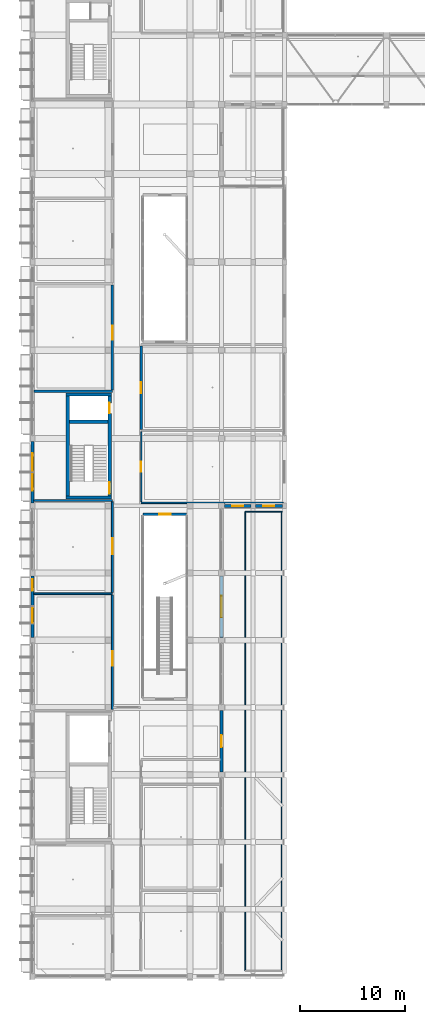
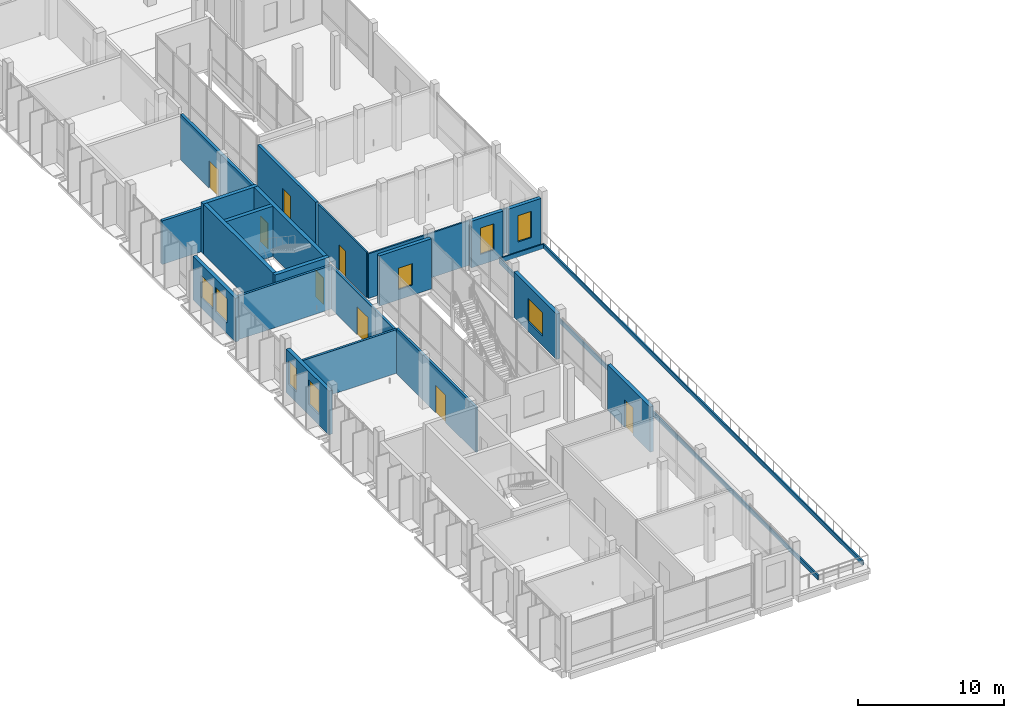
# One storey, part 57 of 95: 24 walls, 8 doors, 8 windows, 16 openings.
"""IFC4 building model written with IfcOpenShell, lengths in metres."""

from ifc_helpers import new_model, si_unit, derived_unit, direction, frame, frame_2d, origin, origin_with_axes, place, context, subcontext, project, spatial, rectangle, extrude, material, layer, layer_set, type_object, element, fill, save


model = new_model("IFC4")

# Units and contexts
model_context = context("Model", 3, precision=1e-05, world=origin(), true_north=direction((0.0, 1.0)))
body_context = subcontext(model_context, "Body", "Model", "MODEL_VIEW")
ifc_project = project(units=[si_unit("LENGTHUNIT", "METRE"), si_unit("AREAUNIT", "SQUARE_METRE"), si_unit("VOLUMEUNIT", "CUBIC_METRE"), si_unit("PLANEANGLEUNIT", "RADIAN"), si_unit("MASSUNIT", "GRAM", prefix="KILO"), derived_unit("THERMALTRANSMITTANCEUNIT", [(si_unit("POWERUNIT", "WATT"), 1), (si_unit("LENGTHUNIT", "METRE"), -2), (si_unit("THERMODYNAMICTEMPERATUREUNIT", "KELVIN"), -1)])], contexts=[model_context])

# Site, building, storey
site_placement = place(None, origin())
site = spatial("IfcSite", under=ifc_project, at=site_placement, CompositionType="ELEMENT")
building_placement = place(site_placement, origin())
building = spatial("IfcBuilding", under=site, at=building_placement, Name="Braskholm Square Health Centre", CompositionType="ELEMENT")
storey_placement = place(building_placement, frame((0.0, 0.0, 4.800048828125)))
storey = spatial("IfcBuildingStorey", under=building, at=storey_placement, Name="L02", CompositionType="ELEMENT", Elevation=4.800048828125)

# Wall, opening, door
ifc_material_1 = material(Name="Fire-rated gypsum board barrier")
ifc_layer_1 = layer(ifc_material_1, 0.175048828125)
ifc_layer_set_1 = layer_set([ifc_layer_1], Name="Fire-rated gypsum board barrier")
wall_type_1 = type_object("IfcWallType", Name="AmbulatoryFirePartition175", PredefinedType="PARTITIONING", material=ifc_layer_set_1)
wall_1_placement = place(storey_placement, frame((11.800048828125, 29.6201171875, 0.0), z_axis=(0.0, 0.0, 1.0), x_axis=(0.0, 1.0, 0.0)))
wall_1 = element("IfcWall", 1, at=wall_1_placement, inside=storey, type_object=wall_type_1, Name="Interior partition PWALL-L02-0077", PredefinedType="PARTITIONING", context=body_context, shape_type="SweptSolid", body=[
    extrude(rectangle(XDim=10.889892578125, YDim=0.175048828125, at=frame_2d((5.44482421875, 0.0))), origin(), (0.0, 0.0, 1.0), 3.794921875),
])
opening_1_placement = place(wall_1_placement, frame((4.1640625, 0.0, 0.0)))
opening_1 = element("IfcOpeningElement", 2, at=opening_1_placement, cuts=wall_1, Name="Opening D-16", PredefinedType="OPENING", context=body_context, shape_type="SweptSolid", body=[
    extrude(rectangle(XDim=1.360107421875, YDim=2.300048828125, at=frame_2d((0.68017578125, 1.14990234375))), frame((0.0, 0.09765625, 0.0), z_axis=(0.0, -1.0, 0.0), x_axis=(1.0, 0.0, 0.0)), (0.0, 0.0, 1.0), 0.195068359375),
])
ifc_material_2 = material(Name="Architectural bronze anodised aluminium", Category="aluminium")
door_type_1 = type_object("IfcDoorType", Name="DoorSurgicalScrubSliding1360x2300", OperationType="SLIDING_TO_RIGHT", PredefinedType="DOOR", material=ifc_material_2)
door_1_placement = place(opening_1_placement, origin_with_axes())
door_1 = element("IfcDoor", 3, at=door_1_placement, inside=storey, type_object=door_type_1, Name="Interior door 0035 L02", OperationType="SLIDING_TO_RIGHT", OverallHeight=2.300048828125, OverallWidth=1.360107421875, PredefinedType="DOOR", context=body_context, shape_type="SweptSolid", body=[
    extrude(rectangle(XDim=1.360107421875, YDim=2.300048828125, at=frame_2d((0.68017578125, 1.14990234375))), frame((0.0, 0.02490234375, 0.0), z_axis=(0.0, -1.0, 0.0), x_axis=(1.0, 0.0, 0.0)), (0.0, 0.0, 1.0), 0.050048828125),
])
fill(opening_1, door_1)

# Wall
wall_2_placement = place(storey_placement, frame((4.340087890625, 40.6298828125, 0.0), z_axis=(0.0, 0.0, 1.0), x_axis=(1.0, 0.0, 0.0)))
element("IfcWall", 4, at=wall_2_placement, inside=storey, type_object=wall_type_1, Name="Interior partition PWALL-L02-0078", PredefinedType="PARTITIONING", context=body_context, shape_type="SweptSolid", body=[
    extrude(rectangle(XDim=7.4599609375, YDim=0.175048828125, at=frame_2d((3.72998046875, 0.0))), origin(), (0.0, 0.0, 1.0), 3.64501953125),
])

# Wall, opening, door
wall_3_placement = place(storey_placement, frame((11.800048828125, 40.75, 0.0), z_axis=(0.0, 0.0, 1.0), x_axis=(0.0, 1.0, 0.0)))
wall_3 = element("IfcWall", 5, at=wall_3_placement, inside=storey, type_object=wall_type_1, Name="Interior partition PWALL-L02-0080", PredefinedType="PARTITIONING", context=body_context, shape_type="SweptSolid", body=[
    extrude(rectangle(XDim=8.6298828125, YDim=0.175048828125, at=frame_2d((4.31494140625, 0.0))), origin(), (0.0, 0.0, 1.0), 3.544921875),
])
opening_2_placement = place(wall_3_placement, frame((3.62109375, 0.0, 0.0)))
opening_2 = element("IfcOpeningElement", 6, at=opening_2_placement, cuts=wall_3, Name="Opening D-15", PredefinedType="OPENING", context=body_context, shape_type="SweptSolid", body=[
    extrude(rectangle(XDim=1.5400390625, YDim=2.35009765625, at=frame_2d((0.77001953125, 1.175048828125))), frame((0.0, 0.09765625, 0.0), z_axis=(0.0, -1.0, 0.0), x_axis=(1.0, 0.0, 0.0)), (0.0, 0.0, 1.0), 0.195068359375),
])
door_type_2 = type_object("IfcDoorType", Name="DoorOperatingRoomPair1540x2350", OperationType="DOUBLE_DOOR_SINGLE_SWING", PredefinedType="DOOR", material=ifc_material_2)
door_2_placement = place(opening_2_placement, origin_with_axes())
door_2 = element("IfcDoor", 7, at=door_2_placement, inside=storey, type_object=door_type_2, Name="Interior door 0036 L02", OperationType="DOUBLE_DOOR_SINGLE_SWING", OverallHeight=2.35009765625, OverallWidth=1.5400390625, PredefinedType="DOOR", context=body_context, shape_type="SweptSolid", body=[
    extrude(rectangle(XDim=1.5400390625, YDim=2.35009765625, at=frame_2d((0.77001953125, 1.175048828125))), frame((0.0, 0.02490234375, 0.0), z_axis=(0.0, -1.0, 0.0), x_axis=(1.0, 0.0, 0.0)), (0.0, 0.0, 1.0), 0.050048828125),
])
fill(opening_2, door_2)

# Wall
wall_4_placement = place(storey_placement, frame((4.340087890625, 49.5, 0.0), z_axis=(0.0, 0.0, 1.0), x_axis=(1.0, 0.0, 0.0)))
element("IfcWall", 8, at=wall_4_placement, inside=storey, type_object=wall_type_1, Name="Interior partition PWALL-L02-0081", PredefinedType="PARTITIONING", context=body_context, shape_type="SweptSolid", body=[
    extrude(rectangle(XDim=7.4599609375, YDim=0.175048828125, at=frame_2d((3.72998046875, 0.0))), origin(), (0.0, 0.0, 1.0), 3.64501953125),
])

# Wall, opening, door
ifc_material_3 = material(Name="Acoustic gypsum board partition")
ifc_layer_2 = layer(ifc_material_3, 0.125)
ifc_layer_set_2 = layer_set([ifc_layer_2], Name="Acoustic gypsum board partition")
wall_type_2 = type_object("IfcWallType", Name="ClinicalExamPartition125", PredefinedType="PARTITIONING", material=ifc_layer_set_2)
wall_5_placement = place(storey_placement, frame((14.550048828125, 49.39990234375, 0.0), z_axis=(0.0, 0.0, 1.0), x_axis=(0.0, 1.0, 0.0)))
wall_5 = element("IfcWall", 9, at=wall_5_placement, inside=storey, type_object=wall_type_2, Name="Interior partition PWALL-L02-0100", PredefinedType="PARTITIONING", context=body_context, shape_type="SweptSolid", body=[
    extrude(rectangle(XDim=6.64013671875, YDim=0.125, at=frame_2d((3.320068359375, 0.0))), origin(), (0.0, 0.0, 1.0), 3.794921875),
])
opening_3_placement = place(wall_5_placement, frame((2.860107421875, 0.0, 0.0)))
opening_3 = element("IfcOpeningElement", 10, at=opening_3_placement, cuts=wall_5, Name="Opening D-01", PredefinedType="OPENING", context=body_context, shape_type="SweptSolid", body=[
    extrude(rectangle(XDim=0.919921875, YDim=2.14990234375, at=frame_2d((0.4599609375, 1.074951171875))), frame((0.0, 0.072509765625, 0.0), z_axis=(0.0, -1.0, 0.0), x_axis=(1.0, 0.0, 0.0)), (0.0, 0.0, 1.0), 0.14501953125),
])
door_type_3 = type_object("IfcDoorType", Name="DoorConsultSingle920x2150", OperationType="NOTDEFINED", PredefinedType="DOOR", material=ifc_material_2)
door_3_placement = place(opening_3_placement, frame((0.919921875, 0.0, 0.0), z_axis=(0.0, 0.0, 1.0), x_axis=(-1.0, 0.0, 0.0)))
door_3 = element("IfcDoor", 11, at=door_3_placement, inside=storey, type_object=door_type_3, Name="Interior door 0046 L02", OperationType="SINGLE_SWING_LEFT", OverallHeight=2.14990234375, OverallWidth=0.919921875, PredefinedType="DOOR", context=body_context, shape_type="SweptSolid", body=[
    extrude(rectangle(XDim=0.919921875, YDim=2.14990234375, at=frame_2d((0.4599609375, 1.074951171875))), frame((0.0, 0.02490234375, 0.0), z_axis=(0.0, -1.0, 0.0), x_axis=(1.0, 0.0, 0.0)), (0.0, 0.0, 1.0), 0.050048828125),
])
fill(opening_3, door_3)

# Wall
wall_6_placement = place(storey_placement, frame((14.550048828125, 49.280029296875, 0.0), z_axis=(0.0, 0.0, 1.0), x_axis=(1.0, 0.0, 0.0)))
element("IfcWall", 12, at=wall_6_placement, inside=storey, type_object=wall_type_2, Name="Interior partition PWALL-L02-0101", PredefinedType="PARTITIONING", context=body_context, shape_type="SweptSolid", body=[
    extrude(rectangle(XDim=13.510009765625, YDim=0.125, at=frame_2d((6.7548828125, 0.0))), origin(), (0.0, 0.0, 1.0), 3.73486328125),
])

# Wall, openings, windows
ifc_material_4 = material(Name="Precast concrete C40/50 architectural white", Category="concrete")
ifc_layer_3 = layer(ifc_material_4, 0.280029296875)
ifc_layer_set_3 = layer_set([ifc_layer_3], Name="Precast concrete C40/50 architectural white")
wall_type_3 = type_object("IfcWallType", Name="ExteriorPrecastSpandrelWall280", PredefinedType="SOLIDWALL", material=ifc_layer_set_3)
wall_7_placement = place(storey_placement, frame((4.199951171875, 42.318115234375, 0.0), z_axis=(0.0, 0.0, 1.0), x_axis=(0.0, -1.0, 0.0)))
wall_7 = element("IfcWall", 13, at=wall_7_placement, inside=storey, type_object=wall_type_3, Name="Exterior wall EWALL-L02-0014", PredefinedType="SOLIDWALL", context=body_context, shape_type="SweptSolid", body=[
    extrude(rectangle(XDim=5.836181640625, YDim=0.280029296875, at=frame_2d((2.91796875, 0.0))), origin(), (0.0, 0.0, 1.0), 3.64990234375),
])
opening_4_placement = place(wall_7_placement, frame((0.2900390625, 0.0, 0.8798828125)))
opening_4 = element("IfcOpeningElement", 14, at=opening_4_placement, cuts=wall_7, Name="Opening WN-34", PredefinedType="OPENING", context=body_context, shape_type="SweptSolid", body=[
    extrude(rectangle(XDim=1.1201171875, YDim=1.949951171875, at=frame_2d((0.56005859375, 0.97509765625))), frame((0.0, 0.14990234375, 0.0), z_axis=(0.0, -1.0, 0.0), x_axis=(1.0, 0.0, 0.0)), (0.0, 0.0, 1.0), 0.300048828125),
])
opening_5_placement = place(wall_7_placement, frame((3.055908203125, 0.0, 0.8798828125)))
opening_5 = element("IfcOpeningElement", 15, at=opening_5_placement, cuts=wall_7, Name="Opening WN-14", PredefinedType="OPENING", context=body_context, shape_type="SweptSolid", body=[
    extrude(rectangle(XDim=1.39990234375, YDim=2.050048828125, at=frame_2d((0.699951171875, 1.02490234375))), frame((0.0, 0.14990234375, 0.0), z_axis=(0.0, -1.0, 0.0), x_axis=(1.0, 0.0, 0.0)), (0.0, 0.0, 1.0), 0.300048828125),
])
ifc_material_5 = material(Name="Low-E triple insulating glass (VLT 0.64)", Category="glass")
window_type_1 = type_object("IfcWindowType", Name="WinArtDecoMed1120x1950", PartitioningType="SINGLE_PANEL", PredefinedType="WINDOW", material=ifc_material_5)
window_1_placement = place(opening_4_placement, origin_with_axes())
window_1 = element("IfcWindow", 16, at=window_1_placement, inside=storey, type_object=window_type_1, Name="Exterior window 0024 L02", OverallHeight=1.949951171875, OverallWidth=1.1201171875, PartitioningType="SINGLE_PANEL", PredefinedType="WINDOW", context=body_context, shape_type="SweptSolid", body=[
    extrude(rectangle(XDim=1.1201171875, YDim=1.949951171875, at=frame_2d((0.56005859375, 0.97509765625))), frame((0.0, 0.030029296875, 0.0), z_axis=(0.0, -1.0, 0.0), x_axis=(1.0, 0.0, 0.0)), (0.0, 0.0, 1.0), 0.06005859375),
])
fill(opening_4, window_1)
window_type_2 = type_object("IfcWindowType", Name="WinClinicalTall1400x2050", PartitioningType="SINGLE_PANEL", PredefinedType="WINDOW", material=ifc_material_5)
window_2_placement = place(opening_5_placement, origin_with_axes())
window_2 = element("IfcWindow", 17, at=window_2_placement, inside=storey, type_object=window_type_2, Name="Exterior window 0025 L02", OverallHeight=2.050048828125, OverallWidth=1.39990234375, PartitioningType="SINGLE_PANEL", PredefinedType="WINDOW", context=body_context, shape_type="SweptSolid", body=[
    extrude(rectangle(XDim=1.39990234375, YDim=2.050048828125, at=frame_2d((0.699951171875, 1.02490234375))), frame((0.0, 0.030029296875, 0.0), z_axis=(0.0, -1.0, 0.0), x_axis=(1.0, 0.0, 0.0)), (0.0, 0.0, 1.0), 0.06005859375),
])
fill(opening_5, window_2)

wall_8_placement = place(storey_placement, frame((4.199951171875, 55.117919921875, 0.0), z_axis=(0.0, 0.0, 1.0), x_axis=(0.0, -1.0, 0.0)))
wall_8 = element("IfcWall", 18, at=wall_8_placement, inside=storey, type_object=wall_type_3, Name="Exterior wall EWALL-L02-0015", PredefinedType="SOLIDWALL", context=body_context, shape_type="SweptSolid", body=[
    extrude(rectangle(XDim=5.8359375, YDim=0.280029296875, at=frame_2d((2.91796875, 0.0))), origin(), (0.0, 0.0, 1.0), 3.64990234375),
])
opening_6_placement = place(wall_8_placement, frame((1.1201171875, 0.0, 0.8798828125)))
opening_6 = element("IfcOpeningElement", 19, at=opening_6_placement, cuts=wall_8, Name="Opening WN-10", PredefinedType="OPENING", context=body_context, shape_type="SweptSolid", body=[
    extrude(rectangle(XDim=1.64990234375, YDim=1.85009765625, at=frame_2d((0.824951171875, 0.925048828125))), frame((0.0, 0.14990234375, 0.0), z_axis=(0.0, -1.0, 0.0), x_axis=(1.0, 0.0, 0.0)), (0.0, 0.0, 1.0), 0.300048828125),
])
opening_7_placement = place(wall_8_placement, frame((3.091064453125, 0.0, 0.8798828125)))
opening_7 = element("IfcOpeningElement", 20, at=opening_7_placement, cuts=wall_8, Name="Opening WN-15", PredefinedType="OPENING", context=body_context, shape_type="SweptSolid", body=[
    extrude(rectangle(XDim=1.60009765625, YDim=2.050048828125, at=frame_2d((0.800048828125, 1.02490234375))), frame((0.0, 0.14990234375, 0.0), z_axis=(0.0, -1.0, 0.0), x_axis=(1.0, 0.0, 0.0)), (0.0, 0.0, 1.0), 0.300048828125),
])
window_type_3 = type_object("IfcWindowType", Name="WinClinicalBay1650x1850", PartitioningType="SINGLE_PANEL", PredefinedType="WINDOW", material=ifc_material_5)
window_3_placement = place(opening_6_placement, origin_with_axes())
window_3 = element("IfcWindow", 21, at=window_3_placement, inside=storey, type_object=window_type_3, Name="Exterior window 0026 L02", OverallHeight=1.85009765625, OverallWidth=1.64990234375, PartitioningType="SINGLE_PANEL", PredefinedType="WINDOW", context=body_context, shape_type="SweptSolid", body=[
    extrude(rectangle(XDim=1.64990234375, YDim=1.85009765625, at=frame_2d((0.824951171875, 0.925048828125))), frame((0.0, 0.030029296875, 0.0), z_axis=(0.0, -1.0, 0.0), x_axis=(1.0, 0.0, 0.0)), (0.0, 0.0, 1.0), 0.06005859375),
])
fill(opening_6, window_3)
window_type_4 = type_object("IfcWindowType", Name="WinClinicalTall1600x2050", PartitioningType="SINGLE_PANEL", PredefinedType="WINDOW", material=ifc_material_5)
window_4_placement = place(opening_7_placement, origin_with_axes())
window_4 = element("IfcWindow", 22, at=window_4_placement, inside=storey, type_object=window_type_4, Name="Exterior window 0027 L02", OverallHeight=2.050048828125, OverallWidth=1.60009765625, PartitioningType="SINGLE_PANEL", PredefinedType="WINDOW", context=body_context, shape_type="SweptSolid", body=[
    extrude(rectangle(XDim=1.60009765625, YDim=2.050048828125, at=frame_2d((0.800048828125, 1.02490234375))), frame((0.0, 0.030029296875, 0.0), z_axis=(0.0, -1.0, 0.0), x_axis=(1.0, 0.0, 0.0)), (0.0, 0.0, 1.0), 0.06005859375),
])
fill(opening_7, window_4)

# Wall, opening, door
wall_9_placement = place(storey_placement, frame((22.199951171875, 23.677001953125, 0.0), z_axis=(0.0, 0.0, 1.0), x_axis=(0.0, 1.0, 0.0)))
wall_9 = element("IfcWall", 23, at=wall_9_placement, inside=storey, type_object=wall_type_3, Name="Exterior wall EWALL-L02-0110", PredefinedType="SOLIDWALL", context=body_context, shape_type="SweptSolid", body=[
    extrude(rectangle(XDim=5.845947265625, YDim=0.280029296875, at=frame_2d((2.9228515625, 0.0))), origin(), (0.0, 0.0, 1.0), 3.7900390625),
])
opening_8_placement = place(wall_9_placement, frame((2.35302734375, 0.0, 0.0)))
opening_8 = element("IfcOpeningElement", 24, at=opening_8_placement, cuts=wall_9, Name="Opening D-T1", PredefinedType="OPENING", context=body_context, shape_type="SweptSolid", body=[
    extrude(rectangle(XDim=1.139892578125, YDim=2.300048828125, at=frame_2d((0.56982421875, 1.14990234375))), frame((0.0, 0.14990234375, 0.0), z_axis=(0.0, -1.0, 0.0), x_axis=(1.0, 0.0, 0.0)), (0.0, 0.0, 1.0), 0.300048828125),
])
door_type_4 = type_object("IfcDoorType", Name="DoorPlantedTerrace1140x2300", OperationType="NOTDEFINED", PredefinedType="DOOR", material=ifc_material_5)
door_4_placement = place(opening_8_placement, frame((1.139892578125, 0.0, 0.0), z_axis=(0.0, 0.0, 1.0), x_axis=(-1.0, 0.0, 0.0)))
door_4 = element("IfcDoor", 25, at=door_4_placement, inside=storey, type_object=door_type_4, Name="Exterior door 0011 L02", OperationType="SINGLE_SWING_LEFT", OverallHeight=2.300048828125, OverallWidth=1.139892578125, PredefinedType="DOOR", context=body_context, shape_type="SweptSolid", body=[
    extrude(rectangle(XDim=1.139892578125, YDim=2.300048828125, at=frame_2d((0.56982421875, 1.14990234375))), frame((0.0, 0.02490234375, 0.0), z_axis=(0.0, -1.0, 0.0), x_axis=(1.0, 0.0, 0.0)), (0.0, 0.0, 1.0), 0.050048828125),
])
fill(opening_8, door_4)

# Wall, opening, window
wall_10_placement = place(storey_placement, frame((22.199951171875, 36.47705078125, 0.0), z_axis=(0.0, 0.0, 1.0), x_axis=(0.0, 1.0, 0.0)))
wall_10 = element("IfcWall", 26, at=wall_10_placement, inside=storey, type_object=wall_type_3, Name="Exterior wall EWALL-L02-0111", PredefinedType="SOLIDWALL", context=body_context, shape_type="SweptSolid", body=[
    extrude(rectangle(XDim=5.845947265625, YDim=0.280029296875, at=frame_2d((2.9228515625, 0.0))), origin(), (0.0, 0.0, 1.0), 3.7900390625),
])
opening_9_placement = place(wall_10_placement, frame((1.89794921875, 0.0, 0.800048828125)))
opening_9 = element("IfcOpeningElement", 27, at=opening_9_placement, cuts=wall_10, Name="Opening WN-25", PredefinedType="OPENING", context=body_context, shape_type="SweptSolid", body=[
    extrude(rectangle(XDim=2.050048828125, YDim=1.949951171875, at=frame_2d((1.02490234375, 0.97509765625))), frame((0.0, 0.14990234375, 0.0), z_axis=(0.0, -1.0, 0.0), x_axis=(1.0, 0.0, 0.0)), (0.0, 0.0, 1.0), 0.300048828125),
])
window_type_5 = type_object("IfcWindowType", Name="WinValleyTerrace2050x1950", PartitioningType="SINGLE_PANEL", PredefinedType="WINDOW", material=ifc_material_5)
window_5_placement = place(opening_9_placement, origin_with_axes())
window_5 = element("IfcWindow", 28, at=window_5_placement, inside=storey, type_object=window_type_5, Name="Exterior window 0181 L02", OverallHeight=1.949951171875, OverallWidth=2.050048828125, PartitioningType="SINGLE_PANEL", PredefinedType="WINDOW", context=body_context, shape_type="SweptSolid", body=[
    extrude(rectangle(XDim=2.050048828125, YDim=1.949951171875, at=frame_2d((1.02490234375, 0.97509765625))), frame((0.0, 0.030029296875, 0.0), z_axis=(0.0, -1.0, 0.0), x_axis=(1.0, 0.0, 0.0)), (0.0, 0.0, 1.0), 0.06005859375),
])
fill(opening_9, window_5)

wall_11_placement = place(storey_placement, frame((22.47705078125, 49.0, 0.0), z_axis=(0.0, 0.0, 1.0), x_axis=(1.0, 0.0, 0.0)))
wall_11 = element("IfcWall", 29, at=wall_11_placement, inside=storey, type_object=wall_type_3, Name="Exterior wall EWALL-L02-0209", PredefinedType="SOLIDWALL", context=body_context, shape_type="SweptSolid", body=[
    extrude(rectangle(XDim=2.5009765625, YDim=0.280029296875, at=frame_2d((1.25048828125, 0.0))), origin(), (0.0, 0.0, 1.0), 3.889892578125),
])
opening_10_placement = place(wall_11_placement, frame((0.72607421875, 0.0, 0.8798828125)))
opening_10 = element("IfcOpeningElement", 30, at=opening_10_placement, cuts=wall_11, Name="Opening WN-02", PredefinedType="OPENING", context=body_context, shape_type="SweptSolid", body=[
    extrude(rectangle(XDim=1.050048828125, YDim=2.199951171875, at=frame_2d((0.52490234375, 1.10009765625))), frame((0.0, 0.14990234375, 0.0), z_axis=(0.0, -1.0, 0.0), x_axis=(1.0, 0.0, 0.0)), (0.0, 0.0, 1.0), 0.300048828125),
])
window_type_6 = type_object("IfcWindowType", Name="WinArtDecoLancet1050x2200", PartitioningType="SINGLE_PANEL", PredefinedType="WINDOW", material=ifc_material_5)
window_6_placement = place(opening_10_placement, origin_with_axes())
window_6 = element("IfcWindow", 31, at=window_6_placement, inside=storey, type_object=window_type_6, Name="Exterior window 0260 L02", OverallHeight=2.199951171875, OverallWidth=1.050048828125, PartitioningType="SINGLE_PANEL", PredefinedType="WINDOW", context=body_context, shape_type="SweptSolid", body=[
    extrude(rectangle(XDim=1.050048828125, YDim=2.199951171875, at=frame_2d((0.52490234375, 1.10009765625))), frame((0.0, 0.030029296875, 0.0), z_axis=(0.0, -1.0, 0.0), x_axis=(1.0, 0.0, 0.0)), (0.0, 0.0, 1.0), 0.06005859375),
])
fill(opening_10, window_6)

wall_12_placement = place(storey_placement, frame((25.422119140625, 49.0, 0.0), z_axis=(0.0, 0.0, 1.0), x_axis=(1.0, 0.0, 0.0)))
wall_12 = element("IfcWall", 32, at=wall_12_placement, inside=storey, type_object=wall_type_3, Name="Exterior wall EWALL-L02-0210", PredefinedType="SOLIDWALL", context=body_context, shape_type="SweptSolid", body=[
    extrude(rectangle(XDim=2.555908203125, YDim=0.280029296875, at=frame_2d((1.27783203125, 0.0))), origin(), (0.0, 0.0, 1.0), 3.889892578125),
])
opening_11_placement = place(wall_12_placement, frame((0.7529296875, 0.0, 0.8798828125)))
opening_11 = element("IfcOpeningElement", 33, at=opening_11_placement, cuts=wall_12, Name="Opening WN-02", PredefinedType="OPENING", context=body_context, shape_type="SweptSolid", body=[
    extrude(rectangle(XDim=1.050048828125, YDim=2.199951171875, at=frame_2d((0.52490234375, 1.10009765625))), frame((0.0, 0.14990234375, 0.0), z_axis=(0.0, -1.0, 0.0), x_axis=(1.0, 0.0, 0.0)), (0.0, 0.0, 1.0), 0.300048828125),
])
window_7_placement = place(opening_11_placement, origin_with_axes())
window_7 = element("IfcWindow", 34, at=window_7_placement, inside=storey, type_object=window_type_6, Name="Exterior window 0261 L02", OverallHeight=2.199951171875, OverallWidth=1.050048828125, PartitioningType="SINGLE_PANEL", PredefinedType="WINDOW", context=body_context, shape_type="SweptSolid", body=[
    extrude(rectangle(XDim=1.050048828125, YDim=2.199951171875, at=frame_2d((0.52490234375, 1.10009765625))), frame((0.0, 0.030029296875, 0.0), z_axis=(0.0, -1.0, 0.0), x_axis=(1.0, 0.0, 0.0)), (0.0, 0.0, 1.0), 0.06005859375),
])
fill(opening_11, window_7)

wall_13_placement = place(storey_placement, frame((14.73388671875, 48.199951171875, 0.0), z_axis=(0.0, 0.0, 1.0), x_axis=(1.0, 0.0, 0.0)))
wall_13 = element("IfcWall", 35, at=wall_13_placement, inside=storey, type_object=wall_type_3, Name="Exterior wall EWALL-L02-0286", PredefinedType="SOLIDWALL", context=body_context, shape_type="SweptSolid", body=[
    extrude(rectangle(XDim=4.132080078125, YDim=0.280029296875, at=frame_2d((2.06591796875, 0.0))), origin(), (0.0, 0.0, 1.0), 4.199951171875),
])
opening_12_placement = place(wall_13_placement, frame((1.51611328125, 0.0, 0.85009765625)))
opening_12 = element("IfcOpeningElement", 36, at=opening_12_placement, cuts=wall_13, Name="Opening WN-26", PredefinedType="OPENING", context=body_context, shape_type="SweptSolid", body=[
    extrude(rectangle(XDim=1.10009765625, YDim=1.800048828125, at=frame_2d((0.550048828125, 0.89990234375))), frame((0.0, 0.14990234375, 0.0), z_axis=(0.0, -1.0, 0.0), x_axis=(1.0, 0.0, 0.0)), (0.0, 0.0, 1.0), 0.300048828125),
])
window_type_7 = type_object("IfcWindowType", Name="WinLightCourt1100x1800", PartitioningType="SINGLE_PANEL", PredefinedType="WINDOW", material=ifc_material_5)
window_8_placement = place(opening_12_placement, origin_with_axes())
window_8 = element("IfcWindow", 37, at=window_8_placement, inside=storey, type_object=window_type_7, Name="Exterior window 0332 L02", OverallHeight=1.800048828125, OverallWidth=1.10009765625, PartitioningType="SINGLE_PANEL", PredefinedType="WINDOW", context=body_context, shape_type="SweptSolid", body=[
    extrude(rectangle(XDim=1.10009765625, YDim=1.800048828125, at=frame_2d((0.550048828125, 0.89990234375))), frame((0.0, 0.030029296875, 0.0), z_axis=(0.0, -1.0, 0.0), x_axis=(1.0, 0.0, 0.0)), (0.0, 0.0, 1.0), 0.06005859375),
])
fill(opening_12, window_8)

# Wall, opening, door
ifc_layer_4 = layer(ifc_material_1, 0.22509765625)
ifc_layer_set_4 = layer_set([ifc_layer_4], Name="Fire-rated gypsum board barrier")
wall_type_4 = type_object("IfcWallType", Name="ImagingShieldedWall225", PredefinedType="SOLIDWALL", material=ifc_layer_set_4)
wall_14_placement = place(storey_placement, frame((11.800048828125, 60.02001953125, 0.0), z_axis=(0.0, 0.0, 1.0), x_axis=(0.0, 1.0, 0.0)))
wall_14 = element("IfcWall", 38, at=wall_14_placement, inside=storey, type_object=wall_type_4, Name="Interior partition PWALL-L02-0082", PredefinedType="SOLIDWALL", context=body_context, shape_type="SweptSolid", body=[
    extrude(rectangle(XDim=10.0, YDim=0.22509765625, at=frame_2d((5.0, 0.0))), origin(), (0.0, 0.0, 1.0), 3.794921875),
])
opening_13_placement = place(wall_14_placement, frame((4.79296875, 0.0, 0.0)))
opening_13 = element("IfcOpeningElement", 39, at=opening_13_placement, cuts=wall_14, Name="Opening D-21", PredefinedType="OPENING", context=body_context, shape_type="SweptSolid", body=[
    extrude(rectangle(XDim=1.320068359375, YDim=2.300048828125, at=frame_2d((0.66015625, 1.14990234375))), frame((0.0, 0.12255859375, 0.0), z_axis=(0.0, -1.0, 0.0), x_axis=(1.0, 0.0, 0.0)), (0.0, 0.0, 1.0), 0.2451171875),
])
door_type_5 = type_object("IfcDoorType", Name="DoorMRICopperShield1320x2300", OperationType="NOTDEFINED", PredefinedType="DOOR", material=ifc_material_2)
door_5_placement = place(opening_13_placement, origin_with_axes())
door_5 = element("IfcDoor", 40, at=door_5_placement, inside=storey, type_object=door_type_5, Name="Interior door 0037 L02", OperationType="SINGLE_SWING_LEFT", OverallHeight=2.300048828125, OverallWidth=1.320068359375, PredefinedType="DOOR", context=body_context, shape_type="SweptSolid", body=[
    extrude(rectangle(XDim=1.320068359375, YDim=2.300048828125, at=frame_2d((0.66015625, 1.14990234375))), frame((0.0, 0.02490234375, 0.0), z_axis=(0.0, -1.0, 0.0), x_axis=(1.0, 0.0, 0.0)), (0.0, 0.0, 1.0), 0.050048828125),
])
fill(opening_13, door_5)

# Wall
wall_15_placement = place(storey_placement, frame((4.340087890625, 59.89990234375, 0.0), z_axis=(0.0, 0.0, 1.0), x_axis=(1.0, 0.0, 0.0)))
element("IfcWall", 41, at=wall_15_placement, inside=storey, type_object=wall_type_4, Name="Interior partition PWALL-L02-0084", PredefinedType="SOLIDWALL", context=body_context, shape_type="SweptSolid", body=[
    extrude(rectangle(XDim=7.4599609375, YDim=0.22509765625, at=frame_2d((3.72998046875, 0.0))), origin(), (0.0, 0.0, 1.0), 3.64501953125),
])

# Wall, opening, door
wall_16_placement = place(storey_placement, frame((14.550048828125, 56.280029296875, 0.0), z_axis=(0.0, 0.0, 1.0), x_axis=(0.0, 1.0, 0.0)))
wall_16 = element("IfcWall", 42, at=wall_16_placement, inside=storey, type_object=wall_type_4, Name="Interior partition PWALL-L02-0103", PredefinedType="SOLIDWALL", context=body_context, shape_type="SweptSolid", body=[
    extrude(rectangle(XDim=7.949951171875, YDim=0.22509765625, at=frame_2d((3.97509765625, 0.0))), origin(), (0.0, 0.0, 1.0), 3.794921875),
])
opening_14_placement = place(wall_16_placement, frame((3.449951171875, 0.0, 0.0)))
opening_14 = element("IfcOpeningElement", 43, at=opening_14_placement, cuts=wall_16, Name="Opening D-29", PredefinedType="OPENING", context=body_context, shape_type="SweptSolid", body=[
    extrude(rectangle(XDim=1.050048828125, YDim=2.239990234375, at=frame_2d((0.52490234375, 1.1201171875))), frame((0.0, 0.12255859375, 0.0), z_axis=(0.0, -1.0, 0.0), x_axis=(1.0, 0.0, 0.0)), (0.0, 0.0, 1.0), 0.2451171875),
])
door_type_6 = type_object("IfcDoorType", Name="DoorLabSingle1050x2240", OperationType="NOTDEFINED", PredefinedType="DOOR", material=ifc_material_2)
door_6_placement = place(opening_14_placement, frame((1.050048828125, 0.0, 0.0), z_axis=(0.0, 0.0, 1.0), x_axis=(-1.0, 0.0, 0.0)))
door_6 = element("IfcDoor", 44, at=door_6_placement, inside=storey, type_object=door_type_6, Name="Interior door 0047 L02", OperationType="SINGLE_SWING_RIGHT", OverallHeight=2.239990234375, OverallWidth=1.050048828125, PredefinedType="DOOR", context=body_context, shape_type="SweptSolid", body=[
    extrude(rectangle(XDim=1.050048828125, YDim=2.239990234375, at=frame_2d((0.52490234375, 1.1201171875))), frame((0.0, 0.02490234375, 0.0), z_axis=(0.0, -1.0, 0.0), x_axis=(1.0, 0.0, 0.0)), (0.0, 0.0, 1.0), 0.050048828125),
])
fill(opening_14, door_6)

# Walls
ifc_material_6 = material(Name="Concrete C40/50 (f'c = 40 MPa)", Category="concrete")
ifc_layer_5 = layer(ifc_material_6, 0.300048828125)
ifc_layer_set_5 = layer_set([ifc_layer_5], Name="Concrete C40/50 (f'c = 40 MPa)")
wall_type_5 = type_object("IfcWallType", Name="ShearCoreWall300", PredefinedType="SHEAR", material=ifc_layer_set_5)
for number, where, z_axis, x_axis, name in (
    (45, (7.39990234375, 49.800048828125, 0.0), (0.0, 0.0, 1.0), (1.0, 0.0, 0.0), "CWALL-K2-L02 south wall"),
    (46, (11.699951171875, 59.60009765625, 0.0), (0.0, 0.0, 1.0), (-1.0, 0.0, 0.0), "CWALL-K2-L02 north wall"),
):
    element("IfcWall", number, at=place(storey_placement, frame(where, z_axis=z_axis, x_axis=x_axis)), inside=storey, type_object=wall_type_5, Name=name, PredefinedType="SHEAR", context=body_context, shape_type="SweptSolid", body=[
        extrude(rectangle(XDim=4.300048828125, YDim=0.300048828125, at=frame_2d((2.14990234375, 0.0))), origin(), (0.0, 0.0, 1.0), 4.199951171875),
    ])
wall_17_placement = place(storey_placement, frame((7.550048828125, 59.449951171875, 0.0), z_axis=(0.0, 0.0, 1.0), x_axis=(0.0, -1.0, 0.0)))
element("IfcWall", 47, at=wall_17_placement, inside=storey, type_object=wall_type_5, Name="CWALL-K2-L02 west wall", PredefinedType="SHEAR", context=body_context, shape_type="SweptSolid", body=[
    extrude(rectangle(XDim=9.5, YDim=0.300048828125, at=frame_2d((4.75, 0.0))), origin(), (0.0, 0.0, 1.0), 4.199951171875),
])

# Wall, openings, doors
wall_18_placement = place(storey_placement, frame((11.550048828125, 49.949951171875, 0.0), z_axis=(0.0, 0.0, 1.0), x_axis=(0.0, 1.0, 0.0)))
wall_18 = element("IfcWall", 48, at=wall_18_placement, inside=storey, type_object=wall_type_5, Name="CWALL-K2-L02 east wall", PredefinedType="SHEAR", context=body_context, shape_type="SweptSolid", body=[
    extrude(rectangle(XDim=9.5, YDim=0.300048828125, at=frame_2d((4.75, 0.0))), origin(), (0.0, 0.0, 1.0), 4.199951171875),
])
opening_15_placement = place(wall_18_placement, frame((0.199951171875, 0.0, 0.0)))
opening_15 = element("IfcOpeningElement", 49, at=opening_15_placement, cuts=wall_18, Name="Opening D-22", PredefinedType="OPENING", context=body_context, shape_type="SweptSolid", body=[
    extrude(rectangle(XDim=1.10009765625, YDim=2.199951171875, at=frame_2d((0.550048828125, 1.10009765625))), frame((0.0, 0.16015625, 0.0), z_axis=(0.0, -1.0, 0.0), x_axis=(1.0, 0.0, 0.0)), (0.0, 0.0, 1.0), 0.320068359375),
])
opening_16_placement = place(wall_18_placement, frame((7.840087890625, 0.0, 0.0)))
opening_16 = element("IfcOpeningElement", 50, at=opening_16_placement, cuts=wall_18, Name="Opening LD-2", PredefinedType="OPENING", context=body_context, shape_type="SweptSolid", body=[
    extrude(rectangle(XDim=1.02001953125, YDim=2.14990234375, at=frame_2d((0.510009765625, 1.074951171875))), frame((0.0, 0.16015625, 0.0), z_axis=(0.0, -1.0, 0.0), x_axis=(1.0, 0.0, 0.0)), (0.0, 0.0, 1.0), 0.320068359375),
])
door_type_7 = type_object("IfcDoorType", Name="DoorLiftLandingPassenger1020x2150", OperationType="SLIDING_TO_LEFT", PredefinedType="DOOR", material=ifc_material_2)
door_7_placement = place(opening_16_placement, origin_with_axes())
door_7 = element("IfcDoor", 51, at=door_7_placement, inside=storey, type_object=door_type_7, Name="Elevator EL-04 sliding landing door L02", OperationType="SLIDING_TO_LEFT", OverallHeight=2.14990234375, OverallWidth=1.02001953125, PredefinedType="DOOR", context=body_context, shape_type="SweptSolid", body=[
    extrude(rectangle(XDim=1.02001953125, YDim=2.14990234375, at=frame_2d((0.510009765625, 1.074951171875))), frame((0.0, 0.02490234375, 0.0), z_axis=(0.0, -1.0, 0.0), x_axis=(1.0, 0.0, 0.0)), (0.0, 0.0, 1.0), 0.050048828125),
])
fill(opening_16, door_7)
door_type_8 = type_object("IfcDoorType", Name="DoorStairEnclosure1100x2200", OperationType="NOTDEFINED", PredefinedType="DOOR", material=ifc_material_2)
door_8_placement = place(opening_15_placement, origin_with_axes())
door_8 = element("IfcDoor", 52, at=door_8_placement, inside=storey, type_object=door_type_8, Name="Stair ST-02 door L02", OperationType="SINGLE_SWING_LEFT", OverallHeight=2.199951171875, OverallWidth=1.10009765625, PredefinedType="DOOR", context=body_context, shape_type="SweptSolid", body=[
    extrude(rectangle(XDim=1.10009765625, YDim=2.199951171875, at=frame_2d((0.550048828125, 1.10009765625))), frame((0.0, 0.02490234375, 0.0), z_axis=(0.0, -1.0, 0.0), x_axis=(1.0, 0.0, 0.0)), (0.0, 0.0, 1.0), 0.050048828125),
])
fill(opening_15, door_8)

# Walls
wall_19_placement = place(storey_placement, frame((7.699951171875, 57.0, 0.0), z_axis=(0.0, 0.0, 1.0), x_axis=(1.0, 0.0, 0.0)))
element("IfcWall", 53, at=wall_19_placement, inside=storey, type_object=wall_type_5, Name="Core K2 internal shear divider L02", PredefinedType="SHEAR", context=body_context, shape_type="SweptSolid", body=[
    extrude(rectangle(XDim=3.699951171875, YDim=0.300048828125, at=frame_2d((1.85009765625, 0.0))), origin(), (0.0, 0.0, 1.0), 4.199951171875),
])
ifc_layer_6 = layer(ifc_material_4, 0.10009765625)
ifc_layer_set_6 = layer_set([ifc_layer_6], Name="Precast concrete C40/50 architectural white")
wall_type_6 = type_object("IfcWallType", Name="SteppedPrecastParapet100", PredefinedType="PARAPET", material=ifc_layer_set_6)
wall_20_placement = place(storey_placement, frame((27.949951171875, 4.75, 0.0), z_axis=(0.0, 0.0, 1.0), x_axis=(0.0, 1.0, 0.0)))
element("IfcWall", 54, at=wall_20_placement, inside=storey, type_object=wall_type_6, Name="Stepped precast planter parapet 002", PredefinedType="PARAPET", context=body_context, shape_type="SweptSolid", body=[
    extrude(rectangle(XDim=43.699951171875, YDim=0.10009765625, at=frame_2d((21.85009765625, 0.0))), origin(), (0.0, 0.0, 1.0), 0.3798828125),
])
wall_21_placement = place(storey_placement, frame((27.949951171875, 48.449951171875, 0.0), z_axis=(0.0, 0.0, 1.0), x_axis=(-1.0, 0.0, 0.0)))
element("IfcWall", 55, at=wall_21_placement, inside=storey, type_object=wall_type_6, Name="Stepped precast planter parapet 003", PredefinedType="PARAPET", context=body_context, shape_type="SweptSolid", body=[
    extrude(rectangle(XDim=3.5, YDim=0.10009765625, at=frame_2d((1.75, 0.0))), origin(), (0.0, 0.0, 1.0), 0.3798828125),
])
wall_22_placement = place(storey_placement, frame((24.449951171875, 48.449951171875, 0.0), z_axis=(0.0, 0.0, 1.0), x_axis=(0.0, -1.0, 0.0)))
element("IfcWall", 56, at=wall_22_placement, inside=storey, type_object=wall_type_6, Name="Stepped precast planter parapet 004", PredefinedType="PARAPET", context=body_context, shape_type="SweptSolid", body=[
    extrude(rectangle(XDim=43.699951171875, YDim=0.10009765625, at=frame_2d((21.85009765625, 0.0))), origin(), (0.0, 0.0, 1.0), 0.3798828125),
])

save(model, "model.ifc")
